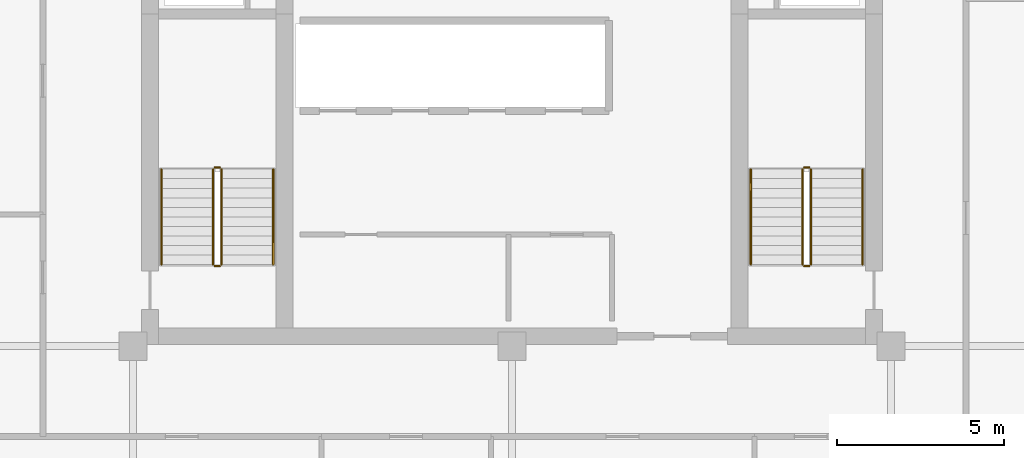
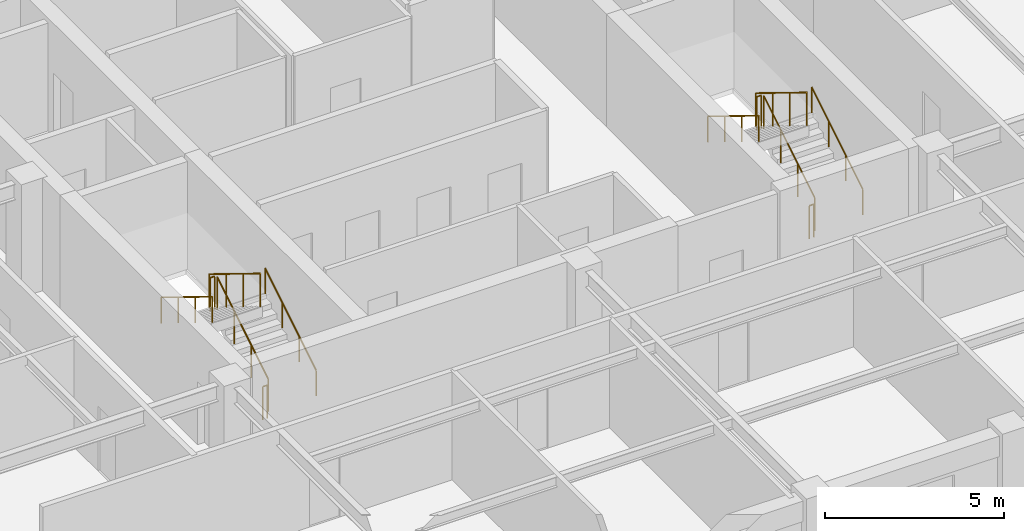
# One storey, part 9 of 9: 12 railings.
"""IFC4 building model written with IfcOpenShell, lengths in metres."""

from ifc_helpers import new_model, si_unit, direction, frame, origin, origin_2d, place, context, subcontext, project, spatial, circle, extrude, material, type_object, element, save


model = new_model("IFC4")

# Units and contexts
model_context = context("Model", 3, precision=1e-05, world=origin(), true_north=direction((0.0, 1.0)))
body_context = subcontext(model_context, "Body", "Model", "MODEL_VIEW")
ifc_project = project(units=[si_unit("LENGTHUNIT", "METRE"), si_unit("AREAUNIT", "SQUARE_METRE"), si_unit("VOLUMEUNIT", "CUBIC_METRE"), si_unit("PLANEANGLEUNIT", "RADIAN"), si_unit("MASSUNIT", "GRAM", prefix="KILO")], contexts=[model_context])

# Site, building, storey
site_placement = place(None, origin())
site = spatial("IfcSite", under=ifc_project, at=site_placement, CompositionType="ELEMENT")
building_placement = place(site_placement, origin())
building = spatial("IfcBuilding", under=site, at=building_placement, Name="Nhamokura Convention Tower", CompositionType="ELEMENT")
storey_placement = place(building_placement, frame((0.0, 0.0, 221.550048828125)))
storey = spatial("IfcBuildingStorey", under=building, at=storey_placement, Name="L54", CompositionType="ELEMENT", Elevation=221.550048828125)

# Railings
ifc_material_1 = material(Name="Anodised bronze stainless steel", Category="steel")
railing_type_1 = type_object("IfcRailingType", Name="StairWallHandrail_900", PredefinedType="HANDRAIL", material=ifc_material_1)
railing_1_placement = place(storey_placement, frame((24.85009765625, 23.10009765625, 0.175048828125)))
element("IfcRailing", 1, at=railing_1_placement, inside=storey, type_object=railing_type_1, Name="L54 ST-01 stair handrail 1", PredefinedType="HANDRAIL", context=body_context, shape_type="SweptSolid", body=[
    extrude(circle(Radius=0.02392578125, at=origin_2d()), frame((0.0, 0.0, 0.8759765625), z_axis=(0.0, 0.852159232446, 0.523282564737), x_axis=(-1.0, 0.0, 0.0)), (0.0, 0.0, 1.0), 3.34423828125),
    extrude(circle(Radius=0.02099609375, at=origin_2d()), origin(), (0.0, 0.0, 1.0), 0.851806640625),
    extrude(circle(Radius=0.02099609375, at=origin_2d()), frame((0.0, 0.949951171875, 0.583251953125)), (0.0, 0.0, 1.0), 0.851806640625),
    extrude(circle(Radius=0.02099609375, at=origin_2d()), frame((0.0, 1.89990234375, 1.166748046875)), (0.0, 0.0, 1.0), 0.851806640625),
    extrude(circle(Radius=0.02099609375, at=origin_2d()), frame((0.0, 2.849853515625, 1.75)), (0.0, 0.0, 1.0), 0.851806640625),
])
railing_2_placement = place(storey_placement, frame((21.5, 25.949951171875, 2.099853515625)))
element("IfcRailing", 2, at=railing_2_placement, inside=storey, type_object=railing_type_1, Name="L54 ST-01 stair handrail 2", PredefinedType="HANDRAIL", context=body_context, shape_type="SweptSolid", body=[
    extrude(circle(Radius=0.02392578125, at=origin_2d()), frame((0.0, 0.0, 0.8759765625), z_axis=(0.0, -0.852159232446, 0.523282564737), x_axis=(1.0, 0.0, 0.0)), (0.0, 0.0, 1.0), 3.34423828125),
    extrude(circle(Radius=0.02099609375, at=origin_2d()), origin(), (0.0, 0.0, 1.0), 0.851806640625),
    extrude(circle(Radius=0.02099609375, at=origin_2d()), frame((0.0, -0.949951171875, 0.583251953125)), (0.0, 0.0, 1.0), 0.851806640625),
    extrude(circle(Radius=0.02099609375, at=origin_2d()), frame((0.0, -1.89990234375, 1.166748046875)), (0.0, 0.0, 1.0), 0.851806640625),
    extrude(circle(Radius=0.02099609375, at=origin_2d()), frame((0.0, -2.849853515625, 1.75)), (0.0, 0.0, 1.0), 0.851806640625),
])
railing_3_placement = place(storey_placement, frame((42.5, 23.10009765625, 0.175048828125)))
element("IfcRailing", 3, at=railing_3_placement, inside=storey, type_object=railing_type_1, Name="L54 ST-02 stair handrail 1", PredefinedType="HANDRAIL", context=body_context, shape_type="SweptSolid", body=[
    extrude(circle(Radius=0.02392578125, at=origin_2d()), frame((0.0, 0.0, 0.8759765625), z_axis=(0.0, 0.852159232446, 0.523282564737), x_axis=(-1.0, 0.0, 0.0)), (0.0, 0.0, 1.0), 3.34423828125),
    extrude(circle(Radius=0.02099609375, at=origin_2d()), origin(), (0.0, 0.0, 1.0), 0.851806640625),
    extrude(circle(Radius=0.02099609375, at=origin_2d()), frame((0.0, 0.949951171875, 0.583251953125)), (0.0, 0.0, 1.0), 0.851806640625),
    extrude(circle(Radius=0.02099609375, at=origin_2d()), frame((0.0, 1.89990234375, 1.166748046875)), (0.0, 0.0, 1.0), 0.851806640625),
    extrude(circle(Radius=0.02099609375, at=origin_2d()), frame((0.0, 2.849853515625, 1.75)), (0.0, 0.0, 1.0), 0.851806640625),
])
railing_4_placement = place(storey_placement, frame((39.14990234375, 25.949951171875, 2.099853515625)))
element("IfcRailing", 4, at=railing_4_placement, inside=storey, type_object=railing_type_1, Name="L54 ST-02 stair handrail 2", PredefinedType="HANDRAIL", context=body_context, shape_type="SweptSolid", body=[
    extrude(circle(Radius=0.02392578125, at=origin_2d()), frame((0.0, 0.0, 0.8759765625), z_axis=(0.0, -0.852159232446, 0.523282564737), x_axis=(1.0, 0.0, 0.0)), (0.0, 0.0, 1.0), 3.34423828125),
    extrude(circle(Radius=0.02099609375, at=origin_2d()), origin(), (0.0, 0.0, 1.0), 0.851806640625),
    extrude(circle(Radius=0.02099609375, at=origin_2d()), frame((0.0, -0.949951171875, 0.583251953125)), (0.0, 0.0, 1.0), 0.851806640625),
    extrude(circle(Radius=0.02099609375, at=origin_2d()), frame((0.0, -1.89990234375, 1.166748046875)), (0.0, 0.0, 1.0), 0.851806640625),
    extrude(circle(Radius=0.02099609375, at=origin_2d()), frame((0.0, -2.849853515625, 1.75)), (0.0, 0.0, 1.0), 0.851806640625),
])
ifc_material_2 = material(Name="Painted tubular steel", Category="steel")
railing_type_2 = type_object("IfcRailingType", Name="StairWellGuardrail_1150", PredefinedType="GUARDRAIL", material=ifc_material_2)
railing_5_placement = place(storey_placement, frame((23.300048828125, 23.10009765625, 0.175048828125)))
element("IfcRailing", 5, at=railing_5_placement, inside=storey, type_object=railing_type_2, Name="L54 ST-01 stair guard 1", PredefinedType="GUARDRAIL", context=body_context, shape_type="SweptSolid", body=[
    extrude(circle(Radius=0.02392578125, at=origin_2d()), frame((0.0, 0.0, 1.1259765625), z_axis=(0.0, 0.852159232446, 0.523282564737), x_axis=(-1.0, 0.0, 0.0)), (0.0, 0.0, 1.0), 3.34423828125),
    extrude(circle(Radius=0.02099609375, at=origin_2d()), origin(), (0.0, 0.0, 1.0), 1.101806640625),
    extrude(circle(Radius=0.02099609375, at=origin_2d()), frame((0.0, 0.949951171875, 0.583251953125)), (0.0, 0.0, 1.0), 1.101806640625),
    extrude(circle(Radius=0.02099609375, at=origin_2d()), frame((0.0, 1.89990234375, 1.166748046875)), (0.0, 0.0, 1.0), 1.101806640625),
    extrude(circle(Radius=0.02099609375, at=origin_2d()), frame((0.0, 2.849853515625, 1.75)), (0.0, 0.0, 1.0), 1.101806640625),
])
railing_6_placement = place(storey_placement, frame((23.25, 26.0, 1.925048828125)))
element("IfcRailing", 6, at=railing_6_placement, inside=storey, type_object=railing_type_2, Name="L54 ST-01 stair guard 2", PredefinedType="GUARDRAIL", context=body_context, shape_type="SweptSolid", body=[
    extrude(circle(Radius=0.02392578125, at=origin_2d()), frame((0.0, 0.0, 1.1259765625), z_axis=(-1.0, 0.0, 0.0), x_axis=(0.0, -1.0, 0.0)), (0.0, 0.0, 1.0), 0.14990234375),
    extrude(circle(Radius=0.02099609375, at=origin_2d()), origin(), (0.0, 0.0, 1.0), 1.101806640625),
    extrude(circle(Radius=0.02099609375, at=origin_2d()), frame((-0.14990234375, 0.0, 0.0)), (0.0, 0.0, 1.0), 1.101806640625),
])
railing_7_placement = place(storey_placement, frame((23.050048828125, 25.949951171875, 2.099853515625)))
element("IfcRailing", 7, at=railing_7_placement, inside=storey, type_object=railing_type_2, Name="L54 ST-01 stair guard 3", PredefinedType="GUARDRAIL", context=body_context, shape_type="SweptSolid", body=[
    extrude(circle(Radius=0.02392578125, at=origin_2d()), frame((0.0, 0.0, 1.1259765625), z_axis=(0.0, -0.852159232446, 0.523282564737), x_axis=(1.0, 0.0, 0.0)), (0.0, 0.0, 1.0), 3.34423828125),
    extrude(circle(Radius=0.02099609375, at=origin_2d()), origin(), (0.0, 0.0, 1.0), 1.101806640625),
    extrude(circle(Radius=0.02099609375, at=origin_2d()), frame((0.0, -0.949951171875, 0.583251953125)), (0.0, 0.0, 1.0), 1.101806640625),
    extrude(circle(Radius=0.02099609375, at=origin_2d()), frame((0.0, -1.89990234375, 1.166748046875)), (0.0, 0.0, 1.0), 1.101806640625),
    extrude(circle(Radius=0.02099609375, at=origin_2d()), frame((0.0, -2.849853515625, 1.75)), (0.0, 0.0, 1.0), 1.101806640625),
])
railing_8_placement = place(storey_placement, frame((23.25, 23.050048828125, 0.0)))
element("IfcRailing", 8, at=railing_8_placement, inside=storey, type_object=railing_type_2, Name="L54 ST-01 stair guard 4", PredefinedType="GUARDRAIL", context=body_context, shape_type="SweptSolid", body=[
    extrude(circle(Radius=0.02392578125, at=origin_2d()), frame((0.0, 0.0, 1.1259765625), z_axis=(-1.0, 0.0, 0.0), x_axis=(0.0, -1.0, 0.0)), (0.0, 0.0, 1.0), 0.14990234375),
    extrude(circle(Radius=0.02099609375, at=origin_2d()), origin(), (0.0, 0.0, 1.0), 1.101806640625),
    extrude(circle(Radius=0.02099609375, at=origin_2d()), frame((-0.14990234375, 0.0, 0.0)), (0.0, 0.0, 1.0), 1.101806640625),
])
railing_9_placement = place(storey_placement, frame((40.949951171875, 23.10009765625, 0.175048828125)))
element("IfcRailing", 9, at=railing_9_placement, inside=storey, type_object=railing_type_2, Name="L54 ST-02 stair guard 1", PredefinedType="GUARDRAIL", context=body_context, shape_type="SweptSolid", body=[
    extrude(circle(Radius=0.02392578125, at=origin_2d()), frame((0.0, 0.0, 1.1259765625), z_axis=(0.0, 0.852159232446, 0.523282564737), x_axis=(-1.0, 0.0, 0.0)), (0.0, 0.0, 1.0), 3.34423828125),
    extrude(circle(Radius=0.02099609375, at=origin_2d()), origin(), (0.0, 0.0, 1.0), 1.101806640625),
    extrude(circle(Radius=0.02099609375, at=origin_2d()), frame((0.0, 0.949951171875, 0.583251953125)), (0.0, 0.0, 1.0), 1.101806640625),
    extrude(circle(Radius=0.02099609375, at=origin_2d()), frame((0.0, 1.89990234375, 1.166748046875)), (0.0, 0.0, 1.0), 1.101806640625),
    extrude(circle(Radius=0.02099609375, at=origin_2d()), frame((0.0, 2.849853515625, 1.75)), (0.0, 0.0, 1.0), 1.101806640625),
])
railing_10_placement = place(storey_placement, frame((40.89990234375, 26.0, 1.925048828125)))
element("IfcRailing", 10, at=railing_10_placement, inside=storey, type_object=railing_type_2, Name="L54 ST-02 stair guard 2", PredefinedType="GUARDRAIL", context=body_context, shape_type="SweptSolid", body=[
    extrude(circle(Radius=0.02392578125, at=origin_2d()), frame((0.0, 0.0, 1.1259765625), z_axis=(-1.0, 0.0, 0.0), x_axis=(0.0, -1.0, 0.0)), (0.0, 0.0, 1.0), 0.14990234375),
    extrude(circle(Radius=0.02099609375, at=origin_2d()), origin(), (0.0, 0.0, 1.0), 1.101806640625),
    extrude(circle(Radius=0.02099609375, at=origin_2d()), frame((-0.14990234375, 0.0, 0.0)), (0.0, 0.0, 1.0), 1.101806640625),
])
railing_11_placement = place(storey_placement, frame((40.699951171875, 25.949951171875, 2.099853515625)))
element("IfcRailing", 11, at=railing_11_placement, inside=storey, type_object=railing_type_2, Name="L54 ST-02 stair guard 3", PredefinedType="GUARDRAIL", context=body_context, shape_type="SweptSolid", body=[
    extrude(circle(Radius=0.02392578125, at=origin_2d()), frame((0.0, 0.0, 1.1259765625), z_axis=(0.0, -0.852159232446, 0.523282564737), x_axis=(1.0, 0.0, 0.0)), (0.0, 0.0, 1.0), 3.34423828125),
    extrude(circle(Radius=0.02099609375, at=origin_2d()), origin(), (0.0, 0.0, 1.0), 1.101806640625),
    extrude(circle(Radius=0.02099609375, at=origin_2d()), frame((0.0, -0.949951171875, 0.583251953125)), (0.0, 0.0, 1.0), 1.101806640625),
    extrude(circle(Radius=0.02099609375, at=origin_2d()), frame((0.0, -1.89990234375, 1.166748046875)), (0.0, 0.0, 1.0), 1.101806640625),
    extrude(circle(Radius=0.02099609375, at=origin_2d()), frame((0.0, -2.849853515625, 1.75)), (0.0, 0.0, 1.0), 1.101806640625),
])
railing_12_placement = place(storey_placement, frame((40.89990234375, 23.050048828125, 0.0)))
element("IfcRailing", 12, at=railing_12_placement, inside=storey, type_object=railing_type_2, Name="L54 ST-02 stair guard 4", PredefinedType="GUARDRAIL", context=body_context, shape_type="SweptSolid", body=[
    extrude(circle(Radius=0.02392578125, at=origin_2d()), frame((0.0, 0.0, 1.1259765625), z_axis=(-1.0, 0.0, 0.0), x_axis=(0.0, -1.0, 0.0)), (0.0, 0.0, 1.0), 0.14990234375),
    extrude(circle(Radius=0.02099609375, at=origin_2d()), origin(), (0.0, 0.0, 1.0), 1.101806640625),
    extrude(circle(Radius=0.02099609375, at=origin_2d()), frame((-0.14990234375, 0.0, 0.0)), (0.0, 0.0, 1.0), 1.101806640625),
])

save(model, "model.ifc")
